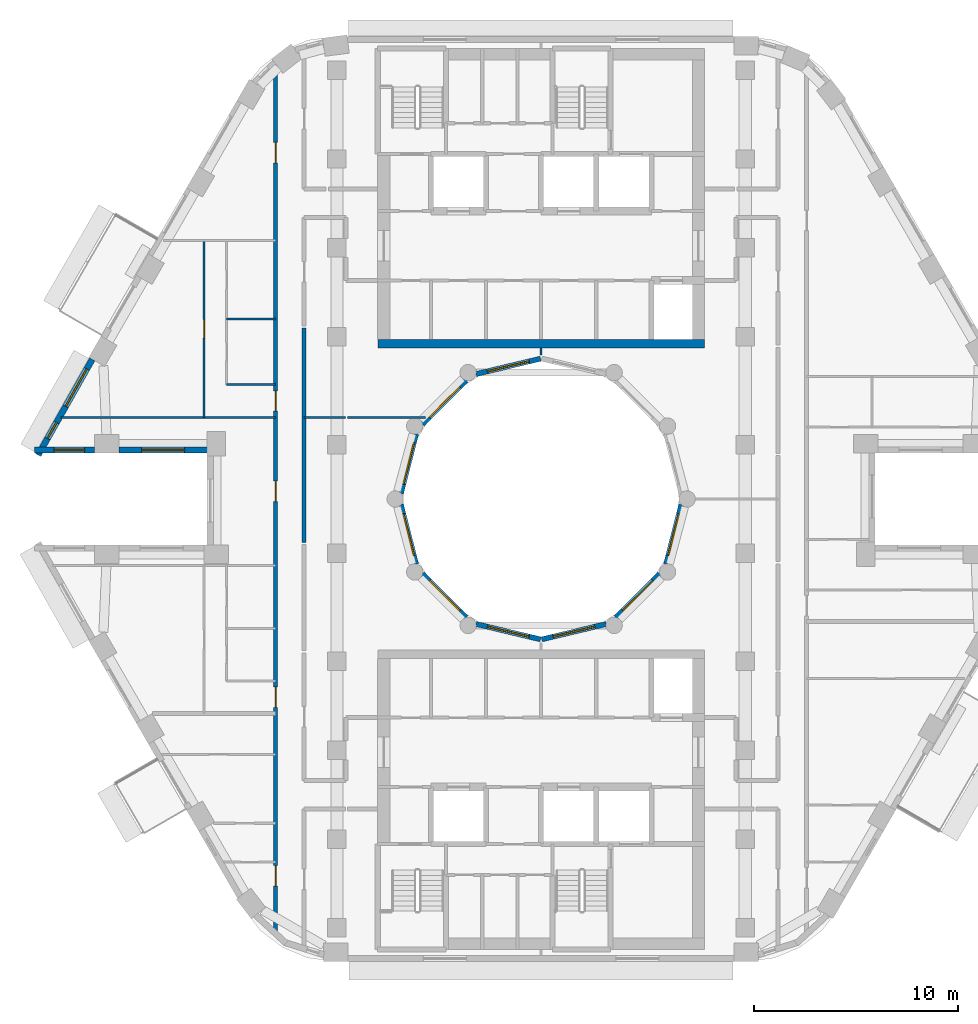
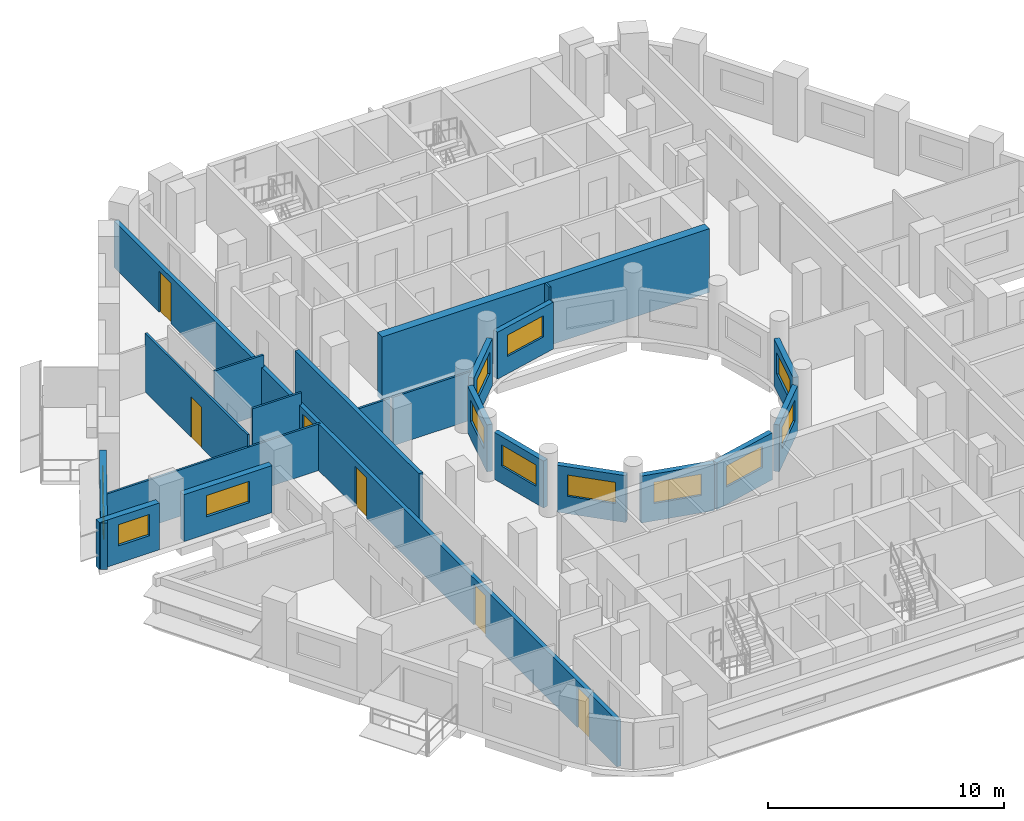
# One storey, part 5 of 17: 22 walls, 13 windows, 6 doors, 19 openings.
"""IFC4 building model written with IfcOpenShell, lengths in metres."""

from ifc_helpers import new_model, si_unit, direction, frame, frame_2d, origin, place, context, subcontext, project, spatial, rectangle, extrude, material, layer, layer_set, type_object, element, fill, save


model = new_model("IFC4")

# Units and contexts
model_context = context("Model", 3, precision=1e-05, world=origin(), true_north=direction((0.0, 1.0)))
body_context = subcontext(model_context, "Body", "Model", "MODEL_VIEW")
ifc_project = project(units=[si_unit("LENGTHUNIT", "METRE"), si_unit("AREAUNIT", "SQUARE_METRE"), si_unit("VOLUMEUNIT", "CUBIC_METRE"), si_unit("PLANEANGLEUNIT", "RADIAN"), si_unit("MASSUNIT", "GRAM", prefix="KILO")], contexts=[model_context])

# Site, building, storey
site_placement = place(None, origin())
site = spatial("IfcSite", under=ifc_project, at=site_placement, CompositionType="ELEMENT")
building_placement = place(site_placement, origin())
building = spatial("IfcBuilding", under=site, at=building_placement, Name="Nakaniwa Court", CompositionType="ELEMENT")
storey_placement = place(building_placement, frame((0.0, 0.0, 209.699951171875)))
storey = spatial("IfcBuildingStorey", under=building, at=storey_placement, Name="L55", CompositionType="ELEMENT", Elevation=209.699951171875)

# Wall
ifc_material_1 = material(Name="Acoustic double stud partition")
ifc_layer_1 = layer(ifc_material_1, 0.199951171875)
ifc_layer_set_1 = layer_set([ifc_layer_1], Name="Acoustic double stud partition")
wall_type_1 = type_object("IfcWallType", Name="Acoustic double stud partition 200", PredefinedType="PARTITIONING", material=ifc_layer_set_1)
wall_1_placement = place(storey_placement, frame((68.39990234375, 77.877197265625, 0.0), z_axis=(0.0, 0.0, 1.0), x_axis=(0.0, 1.0, 0.0)))
element("IfcWall", 1, at=wall_1_placement, inside=storey, type_object=wall_type_1, Name="Partition PW-104", PredefinedType="PARTITIONING", context=body_context, shape_type="SweptSolid", body=[
    extrude(rectangle(XDim=10.485595703125, YDim=0.199951171875, at=frame_2d((5.24267578125, 0.0))), origin(), (0.0, 0.0, 1.0), 3.025146484375),
])

# Wall, openings, doors
wall_2_placement = place(storey_placement, frame((67.0, 58.67431640625, 0.0), z_axis=(0.0, 0.0, 1.0), x_axis=(0.0, 1.0, 0.0)))
wall_2 = element("IfcWall", 2, at=wall_2_placement, inside=storey, type_object=wall_type_1, Name="Partition PW-107", PredefinedType="PARTITIONING", context=body_context, shape_type="SweptSolid", body=[
    extrude(rectangle(XDim=42.591796875, YDim=0.199951171875, at=frame_2d((21.2958984375, 0.0))), origin(), (0.0, 0.0, 1.0), 2.405029296875),
])
opening_1_placement = place(wall_2_placement, frame((2.3759765625, 0.0, 0.0)))
opening_1 = element("IfcOpeningElement", 3, at=opening_1_placement, cuts=wall_2, Name="Opening D-01-03", PredefinedType="OPENING", context=body_context, shape_type="SweptSolid", body=[
    extrude(rectangle(XDim=1.0, YDim=2.10009765625, at=frame_2d((0.5, 1.050048828125))), frame((0.0, 0.10986328125, 0.0), z_axis=(0.0, -1.0, 0.0), x_axis=(1.0, 0.0, 0.0)), (0.0, 0.0, 1.0), 0.219970703125),
])
opening_2_placement = place(wall_2_placement, frame((11.1259765625, 0.0, 0.0)))
opening_2 = element("IfcOpeningElement", 4, at=opening_2_placement, cuts=wall_2, Name="Opening D-01-04", PredefinedType="OPENING", context=body_context, shape_type="SweptSolid", body=[
    extrude(rectangle(XDim=1.0, YDim=2.10009765625, at=frame_2d((0.5, 1.050048828125))), frame((0.0, 0.10986328125, 0.0), z_axis=(0.0, -1.0, 0.0), x_axis=(1.0, 0.0, 0.0)), (0.0, 0.0, 1.0), 0.219970703125),
])
opening_3_placement = place(wall_2_placement, frame((25.6259765625, 0.0, 0.0)))
opening_3 = element("IfcOpeningElement", 5, at=opening_3_placement, cuts=wall_2, Name="Opening D-01-05", PredefinedType="OPENING", context=body_context, shape_type="SweptSolid", body=[
    extrude(rectangle(XDim=1.0, YDim=2.10009765625, at=frame_2d((0.5, 1.050048828125))), frame((0.0, 0.10986328125, 0.0), z_axis=(0.0, -1.0, 0.0), x_axis=(1.0, 0.0, 0.0)), (0.0, 0.0, 1.0), 0.219970703125),
])
opening_4_placement = place(wall_2_placement, frame((21.199951171875, 0.0, 0.0)))
opening_4 = element("IfcOpeningElement", 6, at=opening_4_placement, cuts=wall_2, Name="Opening D-02-10", PredefinedType="OPENING", context=body_context, shape_type="SweptSolid", body=[
    extrude(rectangle(XDim=1.0, YDim=2.10009765625, at=frame_2d((0.5, 1.050048828125))), frame((0.0, 0.10986328125, 0.0), z_axis=(0.0, -1.0, 0.0), x_axis=(1.0, 0.0, 0.0)), (0.0, 0.0, 1.0), 0.219970703125),
])
opening_5_placement = place(wall_2_placement, frame((37.7880859375, 0.0, 0.0)))
opening_5 = element("IfcOpeningElement", 7, at=opening_5_placement, cuts=wall_2, Name="Opening D-02-11", PredefinedType="OPENING", context=body_context, shape_type="SweptSolid", body=[
    extrude(rectangle(XDim=1.0, YDim=2.10009765625, at=frame_2d((0.5, 1.050048828125))), frame((0.0, 0.10986328125, 0.0), z_axis=(0.0, -1.0, 0.0), x_axis=(1.0, 0.0, 0.0)), (0.0, 0.0, 1.0), 0.219970703125),
])
ifc_material_2 = material(Name="Solid core timber door set, black veneer", Category="wood")
door_type_1 = type_object("IfcDoorType", Name="Flat entrance door 1000", OperationType="NOTDEFINED", PredefinedType="DOOR", material=ifc_material_2)
door_1_placement = place(opening_1_placement, origin())
door_1 = element("IfcDoor", 8, at=door_1_placement, inside=storey, type_object=door_type_1, Name="Door D-01-03 L55-042", OperationType="SINGLE_SWING_LEFT", OverallHeight=2.10009765625, OverallWidth=1.0, PredefinedType="DOOR", context=body_context, shape_type="SweptSolid", body=[
    extrude(rectangle(XDim=1.0, YDim=2.10009765625, at=frame_2d((0.5, 1.050048828125))), frame((0.0, 0.02490234375, 0.0), z_axis=(0.0, -1.0, 0.0), x_axis=(1.0, 0.0, 0.0)), (0.0, 0.0, 1.0), 0.050048828125),
])
fill(opening_1, door_1)
door_2_placement = place(opening_2_placement, origin())
door_2 = element("IfcDoor", 9, at=door_2_placement, inside=storey, type_object=door_type_1, Name="Door D-01-04 L55-046", OperationType="SINGLE_SWING_LEFT", OverallHeight=2.10009765625, OverallWidth=1.0, PredefinedType="DOOR", context=body_context, shape_type="SweptSolid", body=[
    extrude(rectangle(XDim=1.0, YDim=2.10009765625, at=frame_2d((0.5, 1.050048828125))), frame((0.0, 0.02490234375, 0.0), z_axis=(0.0, -1.0, 0.0), x_axis=(1.0, 0.0, 0.0)), (0.0, 0.0, 1.0), 0.050048828125),
])
fill(opening_2, door_2)
door_3_placement = place(opening_3_placement, origin())
door_3 = element("IfcDoor", 10, at=door_3_placement, inside=storey, type_object=door_type_1, Name="Door D-01-05 L55-052", OperationType="SINGLE_SWING_LEFT", OverallHeight=2.10009765625, OverallWidth=1.0, PredefinedType="DOOR", context=body_context, shape_type="SweptSolid", body=[
    extrude(rectangle(XDim=1.0, YDim=2.10009765625, at=frame_2d((0.5, 1.050048828125))), frame((0.0, 0.02490234375, 0.0), z_axis=(0.0, -1.0, 0.0), x_axis=(1.0, 0.0, 0.0)), (0.0, 0.0, 1.0), 0.050048828125),
])
fill(opening_3, door_3)
door_type_2 = type_object("IfcDoorType", Name="Internal door 1000", OperationType="NOTDEFINED", PredefinedType="DOOR", material=ifc_material_2)
door_4_placement = place(opening_4_placement, origin())
door_4 = element("IfcDoor", 11, at=door_4_placement, inside=storey, type_object=door_type_2, Name="Door D-02-10 L55-059", OperationType="SINGLE_SWING_RIGHT", OverallHeight=2.10009765625, OverallWidth=1.0, PredefinedType="DOOR", context=body_context, shape_type="SweptSolid", body=[
    extrude(rectangle(XDim=1.0, YDim=2.10009765625, at=frame_2d((0.5, 1.050048828125))), frame((0.0, 0.02490234375, 0.0), z_axis=(0.0, -1.0, 0.0), x_axis=(1.0, 0.0, 0.0)), (0.0, 0.0, 1.0), 0.050048828125),
])
fill(opening_4, door_4)
door_5_placement = place(opening_5_placement, origin())
door_5 = element("IfcDoor", 12, at=door_5_placement, inside=storey, type_object=door_type_2, Name="Door D-02-11 L55-060", OperationType="SINGLE_SWING_LEFT", OverallHeight=2.10009765625, OverallWidth=1.0, PredefinedType="DOOR", context=body_context, shape_type="SweptSolid", body=[
    extrude(rectangle(XDim=1.0, YDim=2.10009765625, at=frame_2d((0.5, 1.050048828125))), frame((0.0, 0.02490234375, 0.0), z_axis=(0.0, -1.0, 0.0), x_axis=(1.0, 0.0, 0.0)), (0.0, 0.0, 1.0), 0.050048828125),
])
fill(opening_5, door_5)

# Wall, openings, windows
ifc_material_3 = material(Name="Charcoal ceramic cladding")
ifc_layer_2 = layer(ifc_material_3, 0.02, Name="Ceramic cladding")
ifc_material_4 = material(Name="Ventilated air cavity")
ifc_layer_3 = layer(ifc_material_4, 0.04, ventilated=True, Name="Ventilated cavity")
ifc_material_5 = material(Name="Mineral wool insulation")
ifc_layer_4 = layer(ifc_material_5, 0.1, Name="Insulation")
ifc_material_6 = material(Name="Cement bonded sheathing board")
ifc_layer_5 = layer(ifc_material_6, 0.012, Name="Sheathing")
ifc_material_7 = material(Name="Cold-formed galvanised stud frame with mineral wool infill")
ifc_layer_6 = layer(ifc_material_7, 0.1, Name="Stud frame")
ifc_material_8 = material(Name="Fire-rated gypsum plasterboard lining")
ifc_layer_7 = layer(ifc_material_8, 0.028, Name="Lining")
ifc_layer_set_2 = layer_set([ifc_layer_2, ifc_layer_3, ifc_layer_4, ifc_layer_5, ifc_layer_6, ifc_layer_7], Name="Charcoal ceramic faced external wall system")
wall_type_2 = type_object("IfcWallType", Name="Black ceramic faced external wall 300", PredefinedType="SOLIDWALL", material=ifc_layer_set_2)
wall_3_placement = place(storey_placement, frame((58.023193359375, 86.843017578125, 0.0), z_axis=(0.0, 0.0, 1.0), x_axis=(-0.492033360928, -0.870576344575, 0.0)))
wall_3 = element("IfcWall", 13, at=wall_3_placement, inside=storey, type_object=wall_type_2, Name="L55 external wall 14", PredefinedType="SOLIDWALL", context=body_context, shape_type="SweptSolid", body=[
    extrude(rectangle(XDim=5.38671875, YDim=0.300048828125, at=frame_2d((2.693359375, 0.0))), origin(), (0.0, 0.0, 1.0), 2.425048828125),
])
opening_6_placement = place(wall_3_placement, frame((0.547607421875, 0.0, 0.89990234375)))
opening_6 = element("IfcOpeningElement", 14, at=opening_6_placement, cuts=wall_3, Name="Opening W7.15", PredefinedType="OPENING", context=body_context, shape_type="SweptSolid", body=[
    extrude(rectangle(XDim=2.10009765625, YDim=1.10009765625, at=frame_2d((1.050048828125, 0.550048828125))), frame((0.0, 0.159912109375, 0.0), z_axis=(0.0, -1.0, 0.0), x_axis=(1.0, 0.0, 0.0)), (0.0, 0.0, 1.0), 0.320068359375),
])
opening_7_placement = place(wall_3_placement, frame((3.552490234375, 0.0, 0.89990234375)))
opening_7 = element("IfcOpeningElement", 15, at=opening_7_placement, cuts=wall_3, Name="Opening W9.16", PredefinedType="OPENING", context=body_context, shape_type="SweptSolid", body=[
    extrude(rectangle(XDim=0.89990234375, YDim=1.10009765625, at=frame_2d((0.449951171875, 0.550048828125))), frame((0.0, 0.159912109375, 0.0), z_axis=(0.0, -1.0, 0.0), x_axis=(1.0, 0.0, 0.0)), (0.0, 0.0, 1.0), 0.320068359375),
])
ifc_material_9 = material(Name="Black anodised aluminium frame with dark low-E laminated double glazing", Category="aluminium")
window_type_1 = type_object("IfcWindowType", Name="Dark glass window 2100x1100 sill 900", PartitioningType="SINGLE_PANEL", PredefinedType="WINDOW", material=ifc_material_9)
window_1_placement = place(opening_6_placement, origin())
window_1 = element("IfcWindow", 16, at=window_1_placement, inside=storey, type_object=window_type_1, Name="L55 living window 14-0", OverallHeight=1.10009765625, OverallWidth=2.10009765625, PartitioningType="SINGLE_PANEL", PredefinedType="WINDOW", context=body_context, shape_type="SweptSolid", body=[
    extrude(rectangle(XDim=2.10009765625, YDim=1.10009765625, at=frame_2d((1.050048828125, 0.550048828125))), frame((0.0, 0.030029296875, 0.0), z_axis=(0.0, -1.0, 0.0), x_axis=(1.0, 0.0, 0.0)), (0.0, 0.0, 1.0), 0.06005859375),
])
fill(opening_6, window_1)
window_type_2 = type_object("IfcWindowType", Name="Dark glass window 900x1100 sill 900", PartitioningType="SINGLE_PANEL", PredefinedType="WINDOW", material=ifc_material_9)
window_2_placement = place(opening_7_placement, origin())
window_2 = element("IfcWindow", 17, at=window_2_placement, inside=storey, type_object=window_type_2, Name="L55 habitable room window 14-1", OverallHeight=1.10009765625, OverallWidth=0.89990234375, PartitioningType="SINGLE_PANEL", PredefinedType="WINDOW", context=body_context, shape_type="SweptSolid", body=[
    extrude(rectangle(XDim=0.89990234375, YDim=1.10009765625, at=frame_2d((0.449951171875, 0.550048828125))), frame((0.0, 0.030029296875, 0.0), z_axis=(0.0, -1.0, 0.0), x_axis=(1.0, 0.0, 0.0)), (0.0, 0.0, 1.0), 0.06005859375),
])
fill(opening_7, window_2)

# Wall, opening, window
wall_4_placement = place(storey_placement, frame((55.2021484375, 82.39990234375, 0.0), z_axis=(0.0, 0.0, 1.0), x_axis=(1.0, 0.0, 0.0)))
wall_4 = element("IfcWall", 18, at=wall_4_placement, inside=storey, type_object=wall_type_2, Name="L55 external wall 15", PredefinedType="SOLIDWALL", context=body_context, shape_type="SweptSolid", body=[
    extrude(rectangle(XDim=2.937744140625, YDim=0.300048828125, at=frame_2d((1.46875, 0.0))), origin(), (0.0, 0.0, 1.0), 2.425048828125),
])
opening_8_placement = place(wall_4_placement, frame((0.944091796875, 0.0, 0.89990234375)))
opening_8 = element("IfcOpeningElement", 19, at=opening_8_placement, cuts=wall_4, Name="Opening W5.17", PredefinedType="OPENING", context=body_context, shape_type="SweptSolid", body=[
    extrude(rectangle(XDim=1.5, YDim=1.10009765625, at=frame_2d((0.75, 0.550048828125))), frame((0.0, 0.159912109375, 0.0), z_axis=(0.0, -1.0, 0.0), x_axis=(1.0, 0.0, 0.0)), (0.0, 0.0, 1.0), 0.320068359375),
])
window_type_3 = type_object("IfcWindowType", Name="Dark glass window 1500x1100 sill 900", PartitioningType="SINGLE_PANEL", PredefinedType="WINDOW", material=ifc_material_9)
window_3_placement = place(opening_8_placement, origin())
window_3 = element("IfcWindow", 20, at=window_3_placement, inside=storey, type_object=window_type_3, Name="L55 habitable room window 15-0", OverallHeight=1.10009765625, OverallWidth=1.5, PartitioningType="SINGLE_PANEL", PredefinedType="WINDOW", context=body_context, shape_type="SweptSolid", body=[
    extrude(rectangle(XDim=1.5, YDim=1.10009765625, at=frame_2d((0.75, 0.550048828125))), frame((0.0, 0.030029296875, 0.0), z_axis=(0.0, -1.0, 0.0), x_axis=(1.0, 0.0, 0.0)), (0.0, 0.0, 1.0), 0.06005859375),
])
fill(opening_8, window_3)

wall_5_placement = place(storey_placement, frame((59.33203125, 82.39990234375, 0.0), z_axis=(0.0, 0.0, 1.0), x_axis=(1.0, 0.0, 0.0)))
wall_5 = element("IfcWall", 21, at=wall_5_placement, inside=storey, type_object=wall_type_2, Name="L55 external wall 16", PredefinedType="SOLIDWALL", context=body_context, shape_type="SweptSolid", body=[
    extrude(rectangle(XDim=4.322509765625, YDim=0.300048828125, at=frame_2d((2.1611328125, 0.0))), origin(), (0.0, 0.0, 1.0), 2.425048828125),
])
opening_9_placement = place(wall_5_placement, frame((1.111083984375, 0.0, 0.89990234375)))
opening_9 = element("IfcOpeningElement", 22, at=opening_9_placement, cuts=wall_5, Name="Opening W7.18", PredefinedType="OPENING", context=body_context, shape_type="SweptSolid", body=[
    extrude(rectangle(XDim=2.10009765625, YDim=1.10009765625, at=frame_2d((1.050048828125, 0.550048828125))), frame((0.0, 0.159912109375, 0.0), z_axis=(0.0, -1.0, 0.0), x_axis=(1.0, 0.0, 0.0)), (0.0, 0.0, 1.0), 0.320068359375),
])
window_4_placement = place(opening_9_placement, origin())
window_4 = element("IfcWindow", 23, at=window_4_placement, inside=storey, type_object=window_type_1, Name="L55 habitable room window 16-0", OverallHeight=1.10009765625, OverallWidth=2.10009765625, PartitioningType="SINGLE_PANEL", PredefinedType="WINDOW", context=body_context, shape_type="SweptSolid", body=[
    extrude(rectangle(XDim=2.10009765625, YDim=1.10009765625, at=frame_2d((1.050048828125, 0.550048828125))), frame((0.0, 0.030029296875, 0.0), z_axis=(0.0, -1.0, 0.0), x_axis=(1.0, 0.0, 0.0)), (0.0, 0.0, 1.0), 0.06005859375),
])
fill(opening_9, window_4)

ifc_layer_8 = layer(ifc_material_3, 0.02, Name="Ceramic cladding")
ifc_layer_9 = layer(ifc_material_4, 0.04, ventilated=True, Name="Ventilated cavity")
ifc_layer_10 = layer(ifc_material_5, 0.075, Name="Insulation")
ifc_layer_11 = layer(ifc_material_6, 0.012, Name="Sheathing")
ifc_layer_12 = layer(ifc_material_7, 0.075, Name="Stud frame")
ifc_layer_13 = layer(ifc_material_8, 0.028, Name="Lining")
ifc_layer_set_3 = layer_set([ifc_layer_8, ifc_layer_9, ifc_layer_10, ifc_layer_11, ifc_layer_12, ifc_layer_13], Name="Charcoal ceramic faced external wall system")
wall_type_3 = type_object("IfcWallType", Name="Charcoal ceramic faced well wall 250", PredefinedType="SOLIDWALL", material=ifc_layer_set_3)
wall_6_placement = place(storey_placement, frame((86.8603515625, 79.72998046875, 0.0), z_axis=(0.0, 0.0, 1.0), x_axis=(-0.247055971283, -0.969001211069, 0.0)))
wall_6 = element("IfcWall", 24, at=wall_6_placement, inside=storey, type_object=wall_type_3, Name="L55 external wall 36", PredefinedType="SOLIDWALL", context=body_context, shape_type="SweptSolid", body=[
    extrude(rectangle(XDim=3.010009765625, YDim=0.25, at=frame_2d((1.5048828125, 0.0))), origin(), (0.0, 0.0, 1.0), 2.425048828125),
])
opening_10_placement = place(wall_6_placement, frame((0.46875, 0.0, 0.89990234375)))
opening_10 = element("IfcOpeningElement", 25, at=opening_10_placement, cuts=wall_6, Name="Opening W7.36", PredefinedType="OPENING", context=body_context, shape_type="SweptSolid", body=[
    extrude(rectangle(XDim=2.10009765625, YDim=1.10009765625, at=frame_2d((1.050048828125, 0.550048828125))), frame((0.0, 0.135009765625, 0.0), z_axis=(0.0, -1.0, 0.0), x_axis=(1.0, 0.0, 0.0)), (0.0, 0.0, 1.0), 0.27001953125),
])
window_5_placement = place(opening_10_placement, origin())
window_5 = element("IfcWindow", 26, at=window_5_placement, inside=storey, type_object=window_type_1, Name="L55 habitable room window 36-0", OverallHeight=1.10009765625, OverallWidth=2.10009765625, PartitioningType="SINGLE_PANEL", PredefinedType="WINDOW", context=body_context, shape_type="SweptSolid", body=[
    extrude(rectangle(XDim=2.10009765625, YDim=1.10009765625, at=frame_2d((1.050048828125, 0.550048828125))), frame((0.0, 0.030029296875, 0.0), z_axis=(0.0, -1.0, 0.0), x_axis=(1.0, 0.0, 0.0)), (0.0, 0.0, 1.0), 0.06005859375),
])
fill(opening_10, window_5)

wall_7_placement = place(storey_placement, frame((85.8056640625, 76.339111328125, 0.0), z_axis=(0.0, 0.0, 1.0), x_axis=(-0.707106781187, -0.707106781187, 0.0)))
wall_7 = element("IfcWall", 27, at=wall_7_placement, inside=storey, type_object=wall_type_3, Name="L55 external wall 37", PredefinedType="SOLIDWALL", context=body_context, shape_type="SweptSolid", body=[
    extrude(rectangle(XDim=3.033203125, YDim=0.25, at=frame_2d((1.5166015625, 0.0))), origin(), (0.0, 0.0, 1.0), 2.425048828125),
])
opening_11_placement = place(wall_7_placement, frame((0.466552734375, 0.0, 0.89990234375)))
opening_11 = element("IfcOpeningElement", 28, at=opening_11_placement, cuts=wall_7, Name="Opening W7.37", PredefinedType="OPENING", context=body_context, shape_type="SweptSolid", body=[
    extrude(rectangle(XDim=2.10009765625, YDim=1.10009765625, at=frame_2d((1.050048828125, 0.550048828125))), frame((0.0, 0.135009765625, 0.0), z_axis=(0.0, -1.0, 0.0), x_axis=(1.0, 0.0, 0.0)), (0.0, 0.0, 1.0), 0.27001953125),
])
window_6_placement = place(opening_11_placement, origin())
window_6 = element("IfcWindow", 29, at=window_6_placement, inside=storey, type_object=window_type_1, Name="L55 habitable room window 37-0", OverallHeight=1.10009765625, OverallWidth=2.10009765625, PartitioningType="SINGLE_PANEL", PredefinedType="WINDOW", context=body_context, shape_type="SweptSolid", body=[
    extrude(rectangle(XDim=2.10009765625, YDim=1.10009765625, at=frame_2d((1.050048828125, 0.550048828125))), frame((0.0, 0.030029296875, 0.0), z_axis=(0.0, -1.0, 0.0), x_axis=(1.0, 0.0, 0.0)), (0.0, 0.0, 1.0), 0.06005859375),
])
fill(opening_11, window_6)

wall_8_placement = place(storey_placement, frame((83.186279296875, 73.880615234375, 0.0), z_axis=(0.0, 0.0, 1.0), x_axis=(-0.972773113459, -0.231759508395, 0.0)))
wall_8 = element("IfcWall", 30, at=wall_8_placement, inside=storey, type_object=wall_type_3, Name="L55 external wall 38", PredefinedType="SOLIDWALL", context=body_context, shape_type="SweptSolid", body=[
    extrude(rectangle(XDim=3.24560546875, YDim=0.25, at=frame_2d((1.622802734375, 0.0))), origin(), (0.0, 0.0, 1.0), 2.425048828125),
])
opening_12_placement = place(wall_8_placement, frame((0.57275390625, 0.0, 0.89990234375)))
opening_12 = element("IfcOpeningElement", 31, at=opening_12_placement, cuts=wall_8, Name="Opening W7.38", PredefinedType="OPENING", context=body_context, shape_type="SweptSolid", body=[
    extrude(rectangle(XDim=2.10009765625, YDim=1.10009765625, at=frame_2d((1.050048828125, 0.550048828125))), frame((0.0, 0.135009765625, 0.0), z_axis=(0.0, -1.0, 0.0), x_axis=(1.0, 0.0, 0.0)), (0.0, 0.0, 1.0), 0.27001953125),
])
window_7_placement = place(opening_12_placement, origin())
window_7 = element("IfcWindow", 32, at=window_7_placement, inside=storey, type_object=window_type_1, Name="L55 habitable room window 38-0", OverallHeight=1.10009765625, OverallWidth=2.10009765625, PartitioningType="SINGLE_PANEL", PredefinedType="WINDOW", context=body_context, shape_type="SweptSolid", body=[
    extrude(rectangle(XDim=2.10009765625, YDim=1.10009765625, at=frame_2d((1.050048828125, 0.550048828125))), frame((0.0, 0.030029296875, 0.0), z_axis=(0.0, -1.0, 0.0), x_axis=(1.0, 0.0, 0.0)), (0.0, 0.0, 1.0), 0.06005859375),
])
fill(opening_12, window_7)

wall_9_placement = place(storey_placement, frame((79.970947265625, 73.12841796875, 0.0), z_axis=(0.0, 0.0, 1.0), x_axis=(-0.972773113459, 0.231759508395, 0.0)))
wall_9 = element("IfcWall", 33, at=wall_9_placement, inside=storey, type_object=wall_type_3, Name="L55 external wall 39", PredefinedType="SOLIDWALL", context=body_context, shape_type="SweptSolid", body=[
    extrude(rectangle(XDim=3.24560546875, YDim=0.25, at=frame_2d((1.622802734375, 0.0))), origin(), (0.0, 0.0, 1.0), 2.425048828125),
])
opening_13_placement = place(wall_9_placement, frame((0.57275390625, 0.0, 0.89990234375)))
opening_13 = element("IfcOpeningElement", 34, at=opening_13_placement, cuts=wall_9, Name="Opening W7.39", PredefinedType="OPENING", context=body_context, shape_type="SweptSolid", body=[
    extrude(rectangle(XDim=2.10009765625, YDim=1.10009765625, at=frame_2d((1.050048828125, 0.550048828125))), frame((0.0, 0.135009765625, 0.0), z_axis=(0.0, -1.0, 0.0), x_axis=(1.0, 0.0, 0.0)), (0.0, 0.0, 1.0), 0.27001953125),
])
window_8_placement = place(opening_13_placement, origin())
window_8 = element("IfcWindow", 35, at=window_8_placement, inside=storey, type_object=window_type_1, Name="L55 habitable room window 39-0", OverallHeight=1.10009765625, OverallWidth=2.10009765625, PartitioningType="SINGLE_PANEL", PredefinedType="WINDOW", context=body_context, shape_type="SweptSolid", body=[
    extrude(rectangle(XDim=2.10009765625, YDim=1.10009765625, at=frame_2d((1.050048828125, 0.550048828125))), frame((0.0, 0.030029296875, 0.0), z_axis=(0.0, -1.0, 0.0), x_axis=(1.0, 0.0, 0.0)), (0.0, 0.0, 1.0), 0.06005859375),
])
fill(opening_13, window_8)

wall_10_placement = place(storey_placement, frame((76.339111328125, 74.1943359375, 0.0), z_axis=(0.0, 0.0, 1.0), x_axis=(-0.707106781187, 0.707106781187, 0.0)))
wall_10 = element("IfcWall", 36, at=wall_10_placement, inside=storey, type_object=wall_type_3, Name="L55 external wall 40", PredefinedType="SOLIDWALL", context=body_context, shape_type="SweptSolid", body=[
    extrude(rectangle(XDim=3.033203125, YDim=0.25, at=frame_2d((1.5166015625, 0.0))), origin(), (0.0, 0.0, 1.0), 2.425048828125),
])
opening_14_placement = place(wall_10_placement, frame((0.466552734375, 0.0, 0.89990234375)))
opening_14 = element("IfcOpeningElement", 37, at=opening_14_placement, cuts=wall_10, Name="Opening W7.40", PredefinedType="OPENING", context=body_context, shape_type="SweptSolid", body=[
    extrude(rectangle(XDim=2.10009765625, YDim=1.10009765625, at=frame_2d((1.050048828125, 0.550048828125))), frame((0.0, 0.135009765625, 0.0), z_axis=(0.0, -1.0, 0.0), x_axis=(1.0, 0.0, 0.0)), (0.0, 0.0, 1.0), 0.27001953125),
])
window_9_placement = place(opening_14_placement, origin())
window_9 = element("IfcWindow", 38, at=window_9_placement, inside=storey, type_object=window_type_1, Name="L55 habitable room window 40-0", OverallHeight=1.10009765625, OverallWidth=2.10009765625, PartitioningType="SINGLE_PANEL", PredefinedType="WINDOW", context=body_context, shape_type="SweptSolid", body=[
    extrude(rectangle(XDim=2.10009765625, YDim=1.10009765625, at=frame_2d((1.050048828125, 0.550048828125))), frame((0.0, 0.030029296875, 0.0), z_axis=(0.0, -1.0, 0.0), x_axis=(1.0, 0.0, 0.0)), (0.0, 0.0, 1.0), 0.06005859375),
])
fill(opening_14, window_9)

wall_11_placement = place(storey_placement, frame((73.88330078125, 76.813232421875, 0.0), z_axis=(0.0, 0.0, 1.0), x_axis=(-0.247055971283, 0.969001211069, 0.0)))
wall_11 = element("IfcWall", 39, at=wall_11_placement, inside=storey, type_object=wall_type_3, Name="L55 external wall 41", PredefinedType="SOLIDWALL", context=body_context, shape_type="SweptSolid", body=[
    extrude(rectangle(XDim=3.010009765625, YDim=0.25, at=frame_2d((1.5048828125, 0.0))), origin(), (0.0, 0.0, 1.0), 2.425048828125),
])
opening_15_placement = place(wall_11_placement, frame((0.441162109375, 0.0, 0.89990234375)))
opening_15 = element("IfcOpeningElement", 40, at=opening_15_placement, cuts=wall_11, Name="Opening W7.41", PredefinedType="OPENING", context=body_context, shape_type="SweptSolid", body=[
    extrude(rectangle(XDim=2.10009765625, YDim=1.10009765625, at=frame_2d((1.050048828125, 0.550048828125))), frame((0.0, 0.135009765625, 0.0), z_axis=(0.0, -1.0, 0.0), x_axis=(1.0, 0.0, 0.0)), (0.0, 0.0, 1.0), 0.27001953125),
])
window_10_placement = place(opening_15_placement, origin())
window_10 = element("IfcWindow", 41, at=window_10_placement, inside=storey, type_object=window_type_1, Name="L55 habitable room window 41-0", OverallHeight=1.10009765625, OverallWidth=2.10009765625, PartitioningType="SINGLE_PANEL", PredefinedType="WINDOW", context=body_context, shape_type="SweptSolid", body=[
    extrude(rectangle(XDim=2.10009765625, YDim=1.10009765625, at=frame_2d((1.050048828125, 0.550048828125))), frame((0.0, 0.030029296875, 0.0), z_axis=(0.0, -1.0, 0.0), x_axis=(1.0, 0.0, 0.0)), (0.0, 0.0, 1.0), 0.06005859375),
])
fill(opening_15, window_10)

wall_12_placement = place(storey_placement, frame((73.1396484375, 80.27001953125, 0.0), z_axis=(0.0, 0.0, 1.0), x_axis=(0.247055971283, 0.969001211069, 0.0)))
wall_12 = element("IfcWall", 42, at=wall_12_placement, inside=storey, type_object=wall_type_3, Name="L55 external wall 42", PredefinedType="SOLIDWALL", context=body_context, shape_type="SweptSolid", body=[
    extrude(rectangle(XDim=3.010009765625, YDim=0.25, at=frame_2d((1.5048828125, 0.0))), origin(), (0.0, 0.0, 1.0), 2.425048828125),
])
opening_16_placement = place(wall_12_placement, frame((0.46875, 0.0, 0.89990234375)))
opening_16 = element("IfcOpeningElement", 43, at=opening_16_placement, cuts=wall_12, Name="Opening W7.42", PredefinedType="OPENING", context=body_context, shape_type="SweptSolid", body=[
    extrude(rectangle(XDim=2.10009765625, YDim=1.10009765625, at=frame_2d((1.050048828125, 0.550048828125))), frame((0.0, 0.135009765625, 0.0), z_axis=(0.0, -1.0, 0.0), x_axis=(1.0, 0.0, 0.0)), (0.0, 0.0, 1.0), 0.27001953125),
])
window_11_placement = place(opening_16_placement, origin())
window_11 = element("IfcWindow", 44, at=window_11_placement, inside=storey, type_object=window_type_1, Name="L55 habitable room window 42-0", OverallHeight=1.10009765625, OverallWidth=2.10009765625, PartitioningType="SINGLE_PANEL", PredefinedType="WINDOW", context=body_context, shape_type="SweptSolid", body=[
    extrude(rectangle(XDim=2.10009765625, YDim=1.10009765625, at=frame_2d((1.050048828125, 0.550048828125))), frame((0.0, 0.030029296875, 0.0), z_axis=(0.0, -1.0, 0.0), x_axis=(1.0, 0.0, 0.0)), (0.0, 0.0, 1.0), 0.06005859375),
])
fill(opening_16, window_11)

wall_13_placement = place(storey_placement, frame((74.1943359375, 83.660888671875, 0.0), z_axis=(0.0, 0.0, 1.0), x_axis=(0.707106781187, 0.707106781187, 0.0)))
wall_13 = element("IfcWall", 45, at=wall_13_placement, inside=storey, type_object=wall_type_3, Name="L55 external wall 43", PredefinedType="SOLIDWALL", context=body_context, shape_type="SweptSolid", body=[
    extrude(rectangle(XDim=3.033203125, YDim=0.25, at=frame_2d((1.5166015625, 0.0))), origin(), (0.0, 0.0, 1.0), 2.425048828125),
])
opening_17_placement = place(wall_13_placement, frame((0.480712890625, 0.0, 0.89990234375)))
opening_17 = element("IfcOpeningElement", 46, at=opening_17_placement, cuts=wall_13, Name="Opening W7.43", PredefinedType="OPENING", context=body_context, shape_type="SweptSolid", body=[
    extrude(rectangle(XDim=2.10009765625, YDim=1.10009765625, at=frame_2d((1.050048828125, 0.550048828125))), frame((0.0, 0.135009765625, 0.0), z_axis=(0.0, -1.0, 0.0), x_axis=(1.0, 0.0, 0.0)), (0.0, 0.0, 1.0), 0.27001953125),
])
window_12_placement = place(opening_17_placement, origin())
window_12 = element("IfcWindow", 47, at=window_12_placement, inside=storey, type_object=window_type_1, Name="L55 habitable room window 43-1", OverallHeight=1.10009765625, OverallWidth=2.10009765625, PartitioningType="SINGLE_PANEL", PredefinedType="WINDOW", context=body_context, shape_type="SweptSolid", body=[
    extrude(rectangle(XDim=2.10009765625, YDim=1.10009765625, at=frame_2d((1.050048828125, 0.550048828125))), frame((0.0, 0.030029296875, 0.0), z_axis=(0.0, -1.0, 0.0), x_axis=(1.0, 0.0, 0.0)), (0.0, 0.0, 1.0), 0.06005859375),
])
fill(opening_17, window_12)

wall_14_placement = place(storey_placement, frame((76.813720703125, 86.119384765625, 0.0), z_axis=(0.0, 0.0, 1.0), x_axis=(0.972773113459, 0.231759508395, 0.0)))
wall_14 = element("IfcWall", 48, at=wall_14_placement, inside=storey, type_object=wall_type_3, Name="L55 external wall 44", PredefinedType="SOLIDWALL", context=body_context, shape_type="SweptSolid", body=[
    extrude(rectangle(XDim=3.24560546875, YDim=0.25, at=frame_2d((1.622802734375, 0.0))), origin(), (0.0, 0.0, 1.0), 2.425048828125),
])
opening_18_placement = place(wall_14_placement, frame((0.57275390625, 0.0, 0.89990234375)))
opening_18 = element("IfcOpeningElement", 49, at=opening_18_placement, cuts=wall_14, Name="Opening W7.44", PredefinedType="OPENING", context=body_context, shape_type="SweptSolid", body=[
    extrude(rectangle(XDim=2.10009765625, YDim=1.10009765625, at=frame_2d((1.050048828125, 0.550048828125))), frame((0.0, 0.135009765625, 0.0), z_axis=(0.0, -1.0, 0.0), x_axis=(1.0, 0.0, 0.0)), (0.0, 0.0, 1.0), 0.27001953125),
])
window_13_placement = place(opening_18_placement, origin())
window_13 = element("IfcWindow", 50, at=window_13_placement, inside=storey, type_object=window_type_1, Name="L55 habitable room window 44-0", OverallHeight=1.10009765625, OverallWidth=2.10009765625, PartitioningType="SINGLE_PANEL", PredefinedType="WINDOW", context=body_context, shape_type="SweptSolid", body=[
    extrude(rectangle(XDim=2.10009765625, YDim=1.10009765625, at=frame_2d((1.050048828125, 0.550048828125))), frame((0.0, 0.030029296875, 0.0), z_axis=(0.0, -1.0, 0.0), x_axis=(1.0, 0.0, 0.0)), (0.0, 0.0, 1.0), 0.06005859375),
])
fill(opening_18, window_13)

# Walls
ifc_material_10 = material(Name="Concrete C80/100", Category="concrete")
ifc_layer_14 = layer(ifc_material_10, 0.39990234375)
ifc_layer_set_4 = layer_set([ifc_layer_14], Name="Concrete C80/100")
wall_type_4 = type_object("IfcWallType", Name="Concrete core well wall 400 C80", PredefinedType="SHEAR", material=ifc_layer_set_4)
wall_15_placement = place(storey_placement, frame((72.00390625, 87.60009765625, -0.27490234375), z_axis=(0.0, 0.0, 1.0), x_axis=(1.0, 0.0, 0.0)))
element("IfcWall", 51, at=wall_15_placement, inside=storey, type_object=wall_type_4, Name="Core wall SW-143", PredefinedType="SHEAR", context=body_context, shape_type="SweptSolid", body=[
    extrude(rectangle(XDim=15.9921875, YDim=0.39990234375, at=frame_2d((7.99609375, 0.0))), origin(), (0.0, 0.0, 1.0), 3.300048828125),
])
ifc_material_11 = material(Name="Single stud plasterboard partition")
ifc_layer_15 = layer(ifc_material_11, 0.10009765625)
ifc_layer_set_5 = layer_set([ifc_layer_15], Name="Single stud plasterboard partition")
wall_type_5 = type_object("IfcWallType", Name="Single stud plasterboard partition 100", PredefinedType="PARTITIONING", material=ifc_layer_set_5)
wall_16_placement = place(storey_placement, frame((80.0, 87.048095703125, 0.0), z_axis=(0.0, 0.0, 1.0), x_axis=(0.0, 1.0, 0.0)))
element("IfcWall", 52, at=wall_16_placement, inside=storey, type_object=wall_type_5, Name="Partition PW-114", PredefinedType="PARTITIONING", context=body_context, shape_type="SweptSolid", body=[
    extrude(rectangle(XDim=0.351806640625, YDim=0.10009765625, at=frame_2d((0.17578125, 0.0))), origin(), (0.0, 0.0, 1.0), 3.025146484375),
])

# Wall, opening, door
wall_17_placement = place(storey_placement, frame((63.4990234375, 84.0, 0.0), z_axis=(0.0, 0.0, 1.0), x_axis=(0.0, 1.0, 0.0)))
wall_17 = element("IfcWall", 53, at=wall_17_placement, inside=storey, type_object=wall_type_5, Name="Partition PW-136", PredefinedType="PARTITIONING", context=body_context, shape_type="SweptSolid", body=[
    extrude(rectangle(XDim=8.66259765625, YDim=0.10009765625, at=frame_2d((4.331298828125, 0.0))), origin(), (0.0, 0.0, 1.0), 3.025146484375),
])
opening_19_placement = place(wall_17_placement, frame((3.881103515625, 0.0, 0.0)))
opening_19 = element("IfcOpeningElement", 54, at=opening_19_placement, cuts=wall_17, Name="Opening D-33-11", PredefinedType="OPENING", context=body_context, shape_type="SweptSolid", body=[
    extrude(rectangle(XDim=0.89990234375, YDim=2.10009765625, at=frame_2d((0.449951171875, 1.050048828125))), frame((0.0, 0.06005859375, 0.0), z_axis=(0.0, -1.0, 0.0), x_axis=(1.0, 0.0, 0.0)), (0.0, 0.0, 1.0), 0.1201171875),
])
door_type_3 = type_object("IfcDoorType", Name="Internal door 900", OperationType="NOTDEFINED", PredefinedType="DOOR", material=ifc_material_2)
door_6_placement = place(opening_19_placement, origin())
door_6 = element("IfcDoor", 55, at=door_6_placement, inside=storey, type_object=door_type_3, Name="Door D-33-11 L55-055", OperationType="SINGLE_SWING_RIGHT", OverallHeight=2.10009765625, OverallWidth=0.89990234375, PredefinedType="DOOR", context=body_context, shape_type="SweptSolid", body=[
    extrude(rectangle(XDim=0.89990234375, YDim=2.10009765625, at=frame_2d((0.449951171875, 1.050048828125))), frame((0.0, 0.02490234375, 0.0), z_axis=(0.0, -1.0, 0.0), x_axis=(1.0, 0.0, 0.0)), (0.0, 0.0, 1.0), 0.050048828125),
])
fill(opening_19, door_6)

# Walls
wall_18_placement = place(storey_placement, frame((56.501708984375, 84.0, 0.0), z_axis=(0.0, 0.0, 1.0), x_axis=(1.0, 0.0, 0.0)))
element("IfcWall", 56, at=wall_18_placement, inside=storey, type_object=wall_type_5, Name="Partition PW-137", PredefinedType="PARTITIONING", context=body_context, shape_type="SweptSolid", body=[
    extrude(rectangle(XDim=10.497314453125, YDim=0.10009765625, at=frame_2d((5.24853515625, 0.0))), origin(), (0.0, 0.0, 1.0), 2.405029296875),
])
wall_19_placement = place(storey_placement, frame((68.40087890625, 84.0, 0.0), z_axis=(0.0, 0.0, 1.0), x_axis=(1.0, 0.0, 0.0)))
element("IfcWall", 57, at=wall_19_placement, inside=storey, type_object=wall_type_5, Name="Partition PW-138", PredefinedType="PARTITIONING", context=body_context, shape_type="SweptSolid", body=[
    extrude(rectangle(XDim=2.009033203125, YDim=0.10009765625, at=frame_2d((1.00439453125, 0.0))), origin(), (0.0, 0.0, 1.0), 2.505126953125),
])
wall_20_placement = place(storey_placement, frame((70.530029296875, 84.0, 0.0), z_axis=(0.0, 0.0, 1.0), x_axis=(1.0, 0.0, 0.0)))
element("IfcWall", 58, at=wall_20_placement, inside=storey, type_object=wall_type_5, Name="Partition PW-139", PredefinedType="PARTITIONING", context=body_context, shape_type="SweptSolid", body=[
    extrude(rectangle(XDim=3.796630859375, YDim=0.10009765625, at=frame_2d((1.8984375, 0.0))), origin(), (0.0, 0.0, 1.0), 2.505126953125),
])
for number, where, z_axis, x_axis, name in (
    (59, (64.59912109375, 88.81005859375, 0.0), (0.0, 0.0, 1.0), (1.0, 0.0, 0.0), "Partition PW-140"),
    (60, (64.59912109375, 85.60009765625, 0.0), (0.0, 0.0, 1.0), (1.0, 0.0, 0.0), "Partition PW-141"),
):
    element("IfcWall", number, at=place(storey_placement, frame(where, z_axis=z_axis, x_axis=x_axis)), inside=storey, type_object=wall_type_5, Name=name, PredefinedType="PARTITIONING", context=body_context, shape_type="SweptSolid", body=[
        extrude(rectangle(XDim=2.39990234375, YDim=0.10009765625, at=frame_2d((1.199951171875, 0.0))), origin(), (0.0, 0.0, 1.0), 3.025146484375),
    ])

save(model, "model.ifc")
